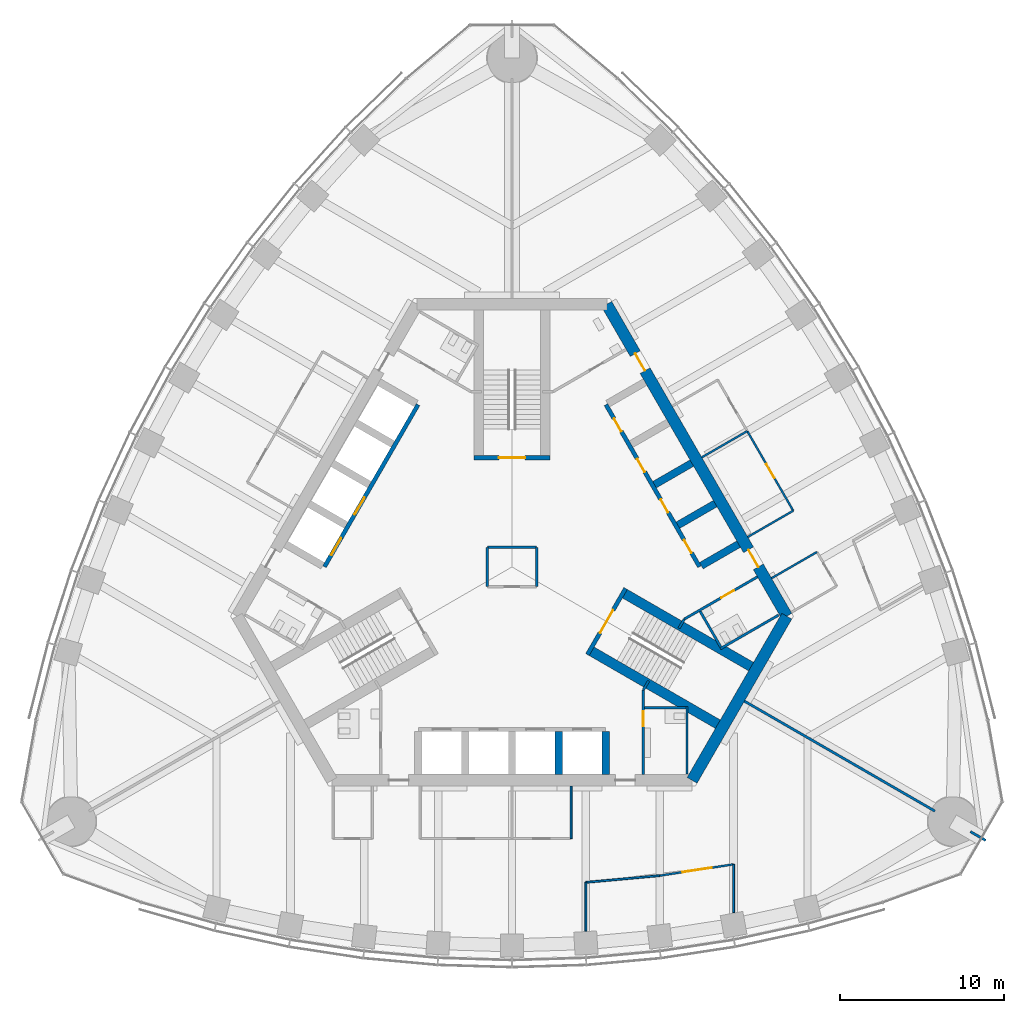
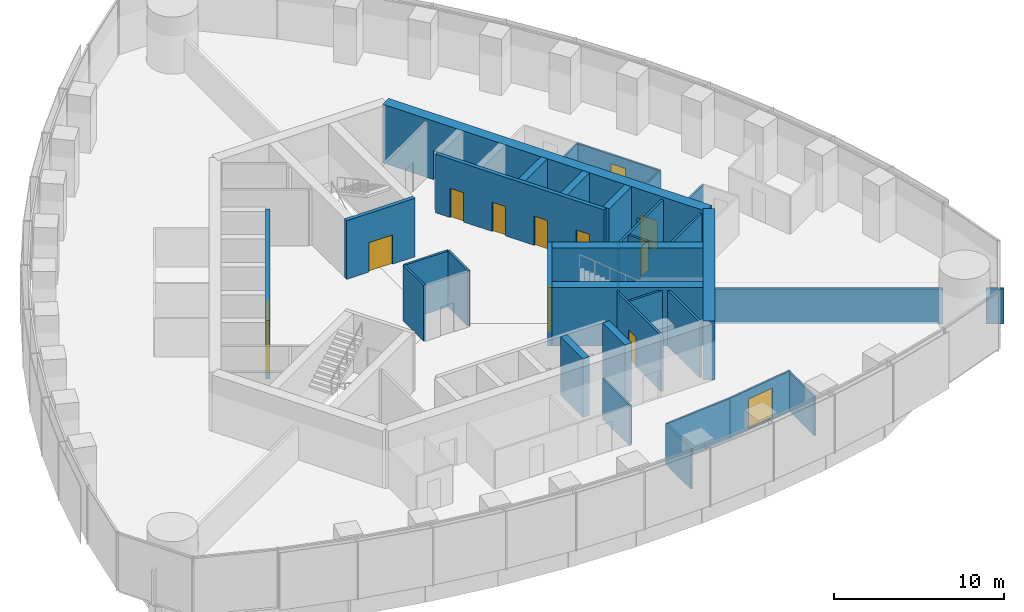
# One storey, part 9 of 14: 35 walls, 14 doors, 14 openings.
"""IFC4 building model written with IfcOpenShell, lengths in metres."""

from ifc_helpers import new_model, si_unit, direction, frame, frame_2d, origin, place, context, subcontext, project, spatial, rectangle, extrude, material, layer, layer_set, type_object, element, fill, save


model = new_model("IFC4")

# Units and contexts
model_context = context("Model", 3, precision=1e-05, world=origin(), true_north=direction((0.0, 1.0)))
body_context = subcontext(model_context, "Body", "Model", "MODEL_VIEW")
ifc_project = project(units=[si_unit("LENGTHUNIT", "METRE"), si_unit("AREAUNIT", "SQUARE_METRE"), si_unit("VOLUMEUNIT", "CUBIC_METRE"), si_unit("PLANEANGLEUNIT", "RADIAN"), si_unit("MASSUNIT", "GRAM", prefix="KILO")], contexts=[model_context])

# Site, building, storey
site_placement = place(None, origin())
site = spatial("IfcSite", under=ifc_project, at=site_placement, CompositionType="ELEMENT")
building_placement = place(site_placement, origin())
building = spatial("IfcBuilding", under=site, at=building_placement, Name="Trefoil Bronze Tower", CompositionType="ELEMENT")
storey_placement = place(building_placement, frame((0.0, 0.0, 280.5)))
storey = spatial("IfcBuildingStorey", under=building, at=storey_placement, Name="L64", CompositionType="ELEMENT", Elevation=280.5)

# Wall
ifc_material_1 = material(Name="Concrete B80", Category="concrete")
ifc_layer_1 = layer(ifc_material_1, 0.699951171875)
ifc_layer_set_1 = layer_set([ifc_layer_1], Name="Core wall 700")
wall_type_1 = type_object("IfcWallType", Name="Core wall 700", PredefinedType="SHEAR", material=ifc_layer_set_1)
wall_1_placement = place(storey_placement, frame((10.9697265625, -13.0, 0.0), z_axis=(0.0, 0.0, 1.0), x_axis=(0.499995765644, 0.866027848477, 0.0)))
element("IfcWall", 1, at=wall_1_placement, inside=storey, type_object=wall_type_1, Name="Core short wall 1 L64", PredefinedType="SHEAR", context=body_context, shape_type="SweptSolid", body=[
    extrude(rectangle(XDim=11.546875, YDim=0.699951171875, at=frame_2d((5.7734375, 0.0))), origin(), (0.0, 0.0, 1.0), 4.199951171875),
])

# Wall, openings, doors
wall_2_placement = place(storey_placement, frame((16.7431640625, -3.0, 0.0), z_axis=(0.0, 0.0, 1.0), x_axis=(-0.500002442456, 0.866023993627, 0.0)))
wall_2 = element("IfcWall", 2, at=wall_2_placement, inside=storey, type_object=wall_type_1, Name="Core long wall 2 L64", PredefinedType="SHEAR", context=body_context, shape_type="SweptSolid", body=[
    extrude(rectangle(XDim=21.939453125, YDim=0.699951171875, at=frame_2d((10.9697265625, 0.0))), origin(), (0.0, 0.0, 1.0), 4.199951171875),
])
opening_1_placement = place(wall_2_placement, frame((17.269775390625, 0.0, 0.0)))
opening_1 = element("IfcOpeningElement", 3, at=opening_1_placement, cuts=wall_2, Name="Opening D2", PredefinedType="OPENING", context=body_context, shape_type="SweptSolid", body=[
    extrude(rectangle(XDim=1.199951171875, YDim=2.10009765625, at=frame_2d((0.60009765625, 1.050048828125))), frame((0.0, 0.35986328125, 0.0), z_axis=(0.0, -1.0, 0.0), x_axis=(1.0, 0.0, 0.0)), (0.0, 0.0, 1.0), 0.719970703125),
])
opening_2_placement = place(wall_2_placement, frame((3.4697265625, 0.0, 0.0)))
opening_2 = element("IfcOpeningElement", 4, at=opening_2_placement, cuts=wall_2, Name="Opening D2", PredefinedType="OPENING", context=body_context, shape_type="SweptSolid", body=[
    extrude(rectangle(XDim=1.199951171875, YDim=2.10009765625, at=frame_2d((0.60009765625, 1.050048828125))), frame((0.0, 0.35986328125, 0.0), z_axis=(0.0, -1.0, 0.0), x_axis=(1.0, 0.0, 0.0)), (0.0, 0.0, 1.0), 0.719970703125),
])
ifc_material_2 = material(Name="Steel door", Category="steel")
door_type_1 = type_object("IfcDoorType", Name="Lobby door 1200", OperationType="SINGLE_SWING_RIGHT", PredefinedType="DOOR", material=ifc_material_2)
door_1_placement = place(opening_1_placement, origin())
door_1 = element("IfcDoor", 5, at=door_1_placement, inside=storey, type_object=door_type_1, Name="Lobby door F2+ L64", OperationType="SINGLE_SWING_RIGHT", OverallHeight=2.10009765625, OverallWidth=1.199951171875, PredefinedType="DOOR", context=body_context, shape_type="SweptSolid", body=[
    extrude(rectangle(XDim=1.199951171875, YDim=2.10009765625, at=frame_2d((0.60009765625, 1.050048828125))), frame((0.0, 0.02490234375, 0.0), z_axis=(0.0, -1.0, 0.0), x_axis=(1.0, 0.0, 0.0)), (0.0, 0.0, 1.0), 0.050048828125),
])
fill(opening_1, door_1)
door_2_placement = place(opening_2_placement, origin())
door_2 = element("IfcDoor", 6, at=door_2_placement, inside=storey, type_object=door_type_1, Name="Lobby door F2- L64", OperationType="SINGLE_SWING_LEFT", OverallHeight=2.10009765625, OverallWidth=1.199951171875, PredefinedType="DOOR", context=body_context, shape_type="SweptSolid", body=[
    extrude(rectangle(XDim=1.199951171875, YDim=2.10009765625, at=frame_2d((0.60009765625, 1.050048828125))), frame((0.0, 0.02490234375, 0.0), z_axis=(0.0, -1.0, 0.0), x_axis=(1.0, 0.0, 0.0)), (0.0, 0.0, 1.0), 0.050048828125),
])
fill(opening_2, door_2)

# Walls
ifc_material_3 = material(Name="Glazed partition", Category="glass")
ifc_layer_2 = layer(ifc_material_3, 0.1201171875)
ifc_layer_set_2 = layer_set([ifc_layer_2], Name="Glazed partition 120")
wall_type_2 = type_object("IfcWallType", Name="Glazed partition 120", PredefinedType="PARTITIONING", material=ifc_layer_set_2)
wall_3_placement = place(storey_placement, frame((3.60009765625, -13.35009765625, 0.0), z_axis=(0.0, 0.0, 1.0), x_axis=(0.0, -1.0, 0.0)))
element("IfcWall", 7, at=wall_3_placement, inside=storey, type_object=wall_type_2, Name="Partition F1 L64", PredefinedType="PARTITIONING", context=body_context, shape_type="SweptSolid", body=[
    extrude(rectangle(XDim=3.199951171875, YDim=0.1201171875, at=frame_2d((1.60009765625, 0.0))), origin(), (0.0, 0.0, 1.0), 2.89990234375),
])
wall_4_placement = place(storey_placement, frame((4.5, -19.21533203125, 0.0), z_axis=(0.0, 0.0, 1.0), x_axis=(0.995871921504, 0.090769576179, 0.0)))
element("IfcWall", 8, at=wall_4_placement, inside=storey, type_object=wall_type_2, Name="Partition F1 L64", PredefinedType="PARTITIONING", context=body_context, shape_type="SweptSolid", body=[
    extrude(rectangle(XDim=4.5185546875, YDim=0.1201171875, at=frame_2d((2.25927734375, 0.0))), origin(), (0.0, 0.0, 1.0), 2.89990234375),
])

# Wall, opening, door
wall_5_placement = place(storey_placement, frame((9.0, -18.80517578125, 0.0), z_axis=(0.0, 0.0, 1.0), x_axis=(0.988481794406, 0.151339823341, 0.0)))
wall_5 = element("IfcWall", 9, at=wall_5_placement, inside=storey, type_object=wall_type_2, Name="Partition F1 L64", PredefinedType="PARTITIONING", context=body_context, shape_type="SweptSolid", body=[
    extrude(rectangle(XDim=4.552490234375, YDim=0.1201171875, at=frame_2d((2.2763671875, 0.0))), origin(), (0.0, 0.0, 1.0), 2.89990234375),
])
opening_3_placement = place(wall_5_placement, frame((1.39990234375, 0.0, 0.14990234375)))
opening_3 = element("IfcOpeningElement", 10, at=opening_3_placement, cuts=wall_5, Name="Opening D10", PredefinedType="OPENING", context=body_context, shape_type="SweptSolid", body=[
    extrude(rectangle(XDim=1.800048828125, YDim=2.10009765625, at=frame_2d((0.89990234375, 1.050048828125))), frame((0.0, 0.070068359375, 0.0), z_axis=(0.0, -1.0, 0.0), x_axis=(1.0, 0.0, 0.0)), (0.0, 0.0, 1.0), 0.14013671875),
])
ifc_material_4 = material(Name="Timber door", Category="wood")
door_type_2 = type_object("IfcDoorType", Name="Double door 1800", OperationType="DOUBLE_DOOR_SINGLE_SWING", PredefinedType="DOOR", material=ifc_material_4)
door_3_placement = place(opening_3_placement, frame((1.800048828125, 0.0, 0.0), z_axis=(0.0, 0.0, 1.0), x_axis=(-1.0, 0.0, 0.0)))
door_3 = element("IfcDoor", 11, at=door_3_placement, inside=storey, type_object=door_type_2, Name="Kitchen and breakout door F1 L64", OperationType="DOUBLE_DOOR_SINGLE_SWING", OverallHeight=2.10009765625, OverallWidth=1.800048828125, PredefinedType="DOOR", context=body_context, shape_type="SweptSolid", body=[
    extrude(rectangle(XDim=1.800048828125, YDim=2.10009765625, at=frame_2d((0.89990234375, 1.050048828125))), frame((0.0, 0.02490234375, 0.0), z_axis=(0.0, -1.0, 0.0), x_axis=(1.0, 0.0, 0.0)), (0.0, 0.0, 1.0), 0.050048828125),
])
fill(opening_3, door_3)

# Walls
wall_6_placement = place(storey_placement, frame((13.5, -18.1162109375, 0.0), z_axis=(0.0, 0.0, 1.0), x_axis=(0.0, -1.0, 0.0)))
element("IfcWall", 12, at=wall_6_placement, inside=storey, type_object=wall_type_2, Name="Partition F1 L64", PredefinedType="PARTITIONING", context=body_context, shape_type="SweptSolid", body=[
    extrude(rectangle(XDim=2.9443359375, YDim=0.1201171875, at=frame_2d((1.47216796875, 0.0))), origin(), (0.0, 0.0, 1.0), 2.800048828125),
])
wall_7_placement = place(storey_placement, frame((4.5, -19.21533203125, 0.0), z_axis=(0.0, 0.0, 1.0), x_axis=(0.0, -1.0, 0.0)))
element("IfcWall", 13, at=wall_7_placement, inside=storey, type_object=wall_type_2, Name="Partition F1 L64", PredefinedType="PARTITIONING", context=body_context, shape_type="SweptSolid", body=[
    extrude(rectangle(XDim=2.96728515625, YDim=0.1201171875, at=frame_2d((1.483642578125, 0.0))), origin(), (0.0, 0.0, 1.0), 2.89990234375),
])

# Wall, opening, door
wall_8_placement = place(storey_placement, frame((17.1328125, 3.42529296875, 0.0), z_axis=(0.0, 0.0, 1.0), x_axis=(-0.500016814911, 0.866015695474, 0.0)))
wall_8 = element("IfcWall", 14, at=wall_8_placement, inside=storey, type_object=wall_type_2, Name="Partition F2 L64", PredefinedType="PARTITIONING", context=body_context, shape_type="SweptSolid", body=[
    extrude(rectangle(XDim=5.599853515625, YDim=0.1201171875, at=frame_2d((2.7998046875, 0.0))), origin(), (0.0, 0.0, 1.0), 2.89990234375),
])
opening_4_placement = place(wall_8_placement, frame((2.300048828125, 0.0, 0.14990234375)))
opening_4 = element("IfcOpeningElement", 15, at=opening_4_placement, cuts=wall_8, Name="Opening D9", PredefinedType="OPENING", context=body_context, shape_type="SweptSolid", body=[
    extrude(rectangle(XDim=1.0, YDim=2.10009765625, at=frame_2d((0.5, 1.050048828125))), frame((0.0, 0.070068359375, 0.0), z_axis=(0.0, -1.0, 0.0), x_axis=(1.0, 0.0, 0.0)), (0.0, 0.0, 1.0), 0.14013671875),
])
ifc_material_5 = material(Name="Glazed timber door", Category="wood")
door_type_3 = type_object("IfcDoorType", Name="Meeting room door 1000", OperationType="SINGLE_SWING_LEFT", PredefinedType="DOOR", material=ifc_material_5)
door_4_placement = place(opening_4_placement, origin())
door_4 = element("IfcDoor", 16, at=door_4_placement, inside=storey, type_object=door_type_3, Name="Meeting room door F2 L64", OperationType="SINGLE_SWING_RIGHT", OverallHeight=2.10009765625, OverallWidth=1.0, PredefinedType="DOOR", context=body_context, shape_type="SweptSolid", body=[
    extrude(rectangle(XDim=1.0, YDim=2.10009765625, at=frame_2d((0.5, 1.050048828125))), frame((0.0, 0.02490234375, 0.0), z_axis=(0.0, -1.0, 0.0), x_axis=(1.0, 0.0, 0.0)), (0.0, 0.0, 1.0), 0.050048828125),
])
fill(opening_4, door_4)

# Walls
wall_9_placement = place(storey_placement, frame((11.5615234375, 6.675048828125, 0.0), z_axis=(0.0, 0.0, 1.0), x_axis=(0.866042017984, 0.499971222258, 0.0)))
element("IfcWall", 17, at=wall_9_placement, inside=storey, type_object=wall_type_2, Name="Partition F2 L64", PredefinedType="PARTITIONING", context=body_context, shape_type="SweptSolid", body=[
    extrude(rectangle(XDim=3.199951171875, YDim=0.1201171875, at=frame_2d((1.60009765625, 0.0))), origin(), (0.0, 0.0, 1.0), 2.89990234375),
])
wall_10_placement = place(storey_placement, frame((14.361328125, 1.8251953125, 0.0), z_axis=(0.0, 0.0, 1.0), x_axis=(0.866028054938, 0.499995408039, 0.0)))
element("IfcWall", 18, at=wall_10_placement, inside=storey, type_object=wall_type_2, Name="Partition F2 L64", PredefinedType="PARTITIONING", context=body_context, shape_type="SweptSolid", body=[
    extrude(rectangle(XDim=3.2001953125, YDim=0.1201171875, at=frame_2d((1.60009765625, 0.0))), origin(), (0.0, 0.0, 1.0), 2.89990234375),
])
wall_11_placement = place(storey_placement, frame((15.8115234375, -0.686279296875, 0.0), z_axis=(0.0, 0.0, 1.0), x_axis=(0.866008981251, 0.500028443584, 0.0)))
element("IfcWall", 19, at=wall_11_placement, inside=storey, type_object=wall_type_2, Name="Partition F2 L64", PredefinedType="PARTITIONING", context=body_context, shape_type="SweptSolid", body=[
    extrude(rectangle(XDim=3.199951171875, YDim=0.1201171875, at=frame_2d((1.60009765625, 0.0))), origin(), (0.0, 0.0, 1.0), 2.89990234375),
])
ifc_material_6 = material(Name="Concrete B80", Category="concrete")
ifc_layer_3 = layer(ifc_material_6, 0.449951171875)
ifc_layer_set_3 = layer_set([ifc_layer_3], Name="Outrigger shaft wall 450")
wall_type_3 = type_object("IfcWallType", Name="Outrigger shaft wall 450", PredefinedType="SHEAR", material=ifc_layer_set_3)
for number, where, z_axis, x_axis, name in (
    (20, (2.85009765625, -10.02490234375, 0.0), (0.0, 0.0, 1.0), (0.0, -1.0, 0.0), "Lift shaft side wall A3 L64"),
    (21, (5.699951171875, -10.02490234375, 0.0), (0.0, 0.0, 1.0), (0.0, -1.0, 0.0), "Lift shaft side wall A4 L64"),
    (22, (11.531982421875, 0.076171875, 0.0), (0.0, 0.0, 1.0), (0.866013657776, 0.500020344131, 0.0), "Lift shaft side wall B0 L64"),
    (23, (10.10693359375, 2.54443359375, 0.0), (0.0, 0.0, 1.0), (0.866013657776, 0.500020344131, 0.0), "Lift shaft side wall B1 L64"),
    (24, (8.681884765625, 5.012451171875, 0.0), (0.0, 0.0, 1.0), (0.866036909293, 0.499980071345, 0.0), "Lift shaft side wall B2 L64"),
):
    element("IfcWall", number, at=place(storey_placement, frame(where, z_axis=z_axis, x_axis=x_axis)), inside=storey, type_object=wall_type_3, Name=name, PredefinedType="SHEAR", context=body_context, shape_type="SweptSolid", body=[
        extrude(rectangle(XDim=2.625, YDim=0.449951171875, at=frame_2d((1.3125, 0.0))), origin(), (0.0, 0.0, 1.0), 4.199951171875),
    ])

# Wall, opening, door
ifc_material_7 = material(Name="Gypsum board on steel studs", Category="steel")
ifc_layer_4 = layer(ifc_material_7, 0.14990234375)
ifc_layer_set_4 = layer_set([ifc_layer_4], Name="Partition 150")
wall_type_4 = type_object("IfcWallType", Name="Partition 150", PredefinedType="PARTITIONING", material=ifc_layer_set_4)
wall_12_placement = place(storey_placement, frame((8.0, -7.5, 0.0), z_axis=(0.0, 0.0, 1.0), x_axis=(0.0, -1.0, 0.0)))
wall_12 = element("IfcWall", 25, at=wall_12_placement, inside=storey, type_object=wall_type_4, Name="Passage wall F1+ L64", PredefinedType="PARTITIONING", context=body_context, shape_type="SweptSolid", body=[
    extrude(rectangle(XDim=5.14990234375, YDim=0.14990234375, at=frame_2d((2.574951171875, 0.0))), origin(), (0.0, 0.0, 1.0), 4.0),
])
opening_5_placement = place(wall_12_placement, frame((1.300048828125, 0.0, 0.0)))
opening_5 = element("IfcOpeningElement", 26, at=opening_5_placement, cuts=wall_12, Name="Opening D3", PredefinedType="OPENING", context=body_context, shape_type="SweptSolid", body=[
    extrude(rectangle(XDim=0.89990234375, YDim=2.10009765625, at=frame_2d((0.449951171875, 1.050048828125))), frame((0.0, 0.0849609375, 0.0), z_axis=(0.0, -1.0, 0.0), x_axis=(1.0, 0.0, 0.0)), (0.0, 0.0, 1.0), 0.169921875),
])
ifc_material_8 = material(Name="Timber door", Category="wood")
door_type_4 = type_object("IfcDoorType", Name="WC door 900", OperationType="SINGLE_SWING_LEFT", PredefinedType="DOOR", material=ifc_material_8)
door_5_placement = place(opening_5_placement, origin())
door_5 = element("IfcDoor", 27, at=door_5_placement, inside=storey, type_object=door_type_4, Name="WC (men) door L64", OperationType="SINGLE_SWING_LEFT", OverallHeight=2.10009765625, OverallWidth=0.89990234375, PredefinedType="DOOR", context=body_context, shape_type="SweptSolid", body=[
    extrude(rectangle(XDim=0.89990234375, YDim=2.10009765625, at=frame_2d((0.449951171875, 1.050048828125))), frame((0.0, 0.02490234375, 0.0), z_axis=(0.0, -1.0, 0.0), x_axis=(1.0, 0.0, 0.0)), (0.0, 0.0, 1.0), 0.050048828125),
])
fill(opening_5, door_5)

wall_13_placement = place(storey_placement, frame((10.4951171875, -3.17822265625, 0.0), z_axis=(0.0, 0.0, 1.0), x_axis=(0.866037967349, 0.499978238636, 0.0)))
wall_13 = element("IfcWall", 28, at=wall_13_placement, inside=storey, type_object=wall_type_4, Name="Passage wall F2- L64", PredefinedType="PARTITIONING", context=body_context, shape_type="SweptSolid", body=[
    extrude(rectangle(XDim=5.150146484375, YDim=0.14990234375, at=frame_2d((2.5751953125, 0.0))), origin(), (0.0, 0.0, 1.0), 4.0),
])
opening_6_placement = place(wall_13_placement, frame((2.60009765625, 0.0, 0.0)))
opening_6 = element("IfcOpeningElement", 29, at=opening_6_placement, cuts=wall_13, Name="Opening D3", PredefinedType="OPENING", context=body_context, shape_type="SweptSolid", body=[
    extrude(rectangle(XDim=0.89990234375, YDim=2.10009765625, at=frame_2d((0.449951171875, 1.050048828125))), frame((0.0, 0.0849609375, 0.0), z_axis=(0.0, -1.0, 0.0), x_axis=(1.0, 0.0, 0.0)), (0.0, 0.0, 1.0), 0.169921875),
])
door_6_placement = place(opening_6_placement, frame((0.89990234375, 0.0, 0.0), z_axis=(0.0, 0.0, 1.0), x_axis=(-1.0, 0.0, 0.0)))
door_6 = element("IfcDoor", 30, at=door_6_placement, inside=storey, type_object=door_type_4, Name="WC (women) door L64", OperationType="SINGLE_SWING_RIGHT", OverallHeight=2.10009765625, OverallWidth=0.89990234375, PredefinedType="DOOR", context=body_context, shape_type="SweptSolid", body=[
    extrude(rectangle(XDim=0.89990234375, YDim=2.10009765625, at=frame_2d((0.449951171875, 1.050048828125))), frame((0.0, 0.02490234375, 0.0), z_axis=(0.0, -1.0, 0.0), x_axis=(1.0, 0.0, 0.0)), (0.0, 0.0, 1.0), 0.050048828125),
])
fill(opening_6, door_6)

# Walls
for number, where, z_axis, x_axis, name in (
    (31, (8.0, -7.5, 0.0), (0.0, 0.0, 1.0), (0.499842556608, 0.866116284689, 0.0), "WC wall ST1-1 L64"),
    (32, (10.4951171875, -3.17822265625, 0.0), (0.0, 0.0, 1.0), (-0.499842556608, -0.866116284689, 0.0), "WC wall ST1+1 L64"),
):
    element("IfcWall", number, at=place(storey_placement, frame(where, z_axis=z_axis, x_axis=x_axis)), inside=storey, type_object=wall_type_4, Name=name, PredefinedType="PARTITIONING", context=body_context, shape_type="SweptSolid", body=[
        extrude(rectangle(XDim=0.645263671875, YDim=0.14990234375, at=frame_2d((0.32275390625, 0.0))), origin(), (0.0, 0.0, 1.0), 4.0),
    ])
wall_14_placement = place(storey_placement, frame((10.659912109375, -8.5, 0.0), z_axis=(0.0, 0.0, 1.0), x_axis=(0.0, -1.0, 0.0)))
element("IfcWall", 33, at=wall_14_placement, inside=storey, type_object=wall_type_4, Name="WC partition WC (men) L64", PredefinedType="PARTITIONING", context=body_context, shape_type="SweptSolid", body=[
    extrude(rectangle(XDim=4.10009765625, YDim=0.14990234375, at=frame_2d((2.050048828125, 0.0))), origin(), (0.0, 0.0, 1.0), 4.0),
])
wall_15_placement = place(storey_placement, frame((8.074951171875, -8.574951171875, 0.0), z_axis=(0.0, 0.0, 1.0), x_axis=(1.0, 0.0, 0.0)))
element("IfcWall", 34, at=wall_15_placement, inside=storey, type_object=wall_type_4, Name="WC partition WC (men) L64", PredefinedType="PARTITIONING", context=body_context, shape_type="SweptSolid", body=[
    extrude(rectangle(XDim=2.510009765625, YDim=0.14990234375, at=frame_2d((1.2548828125, 0.0))), origin(), (0.0, 0.0, 1.0), 4.0),
])
wall_16_placement = place(storey_placement, frame((12.691162109375, -4.98193359375, 0.0), z_axis=(0.0, 0.0, 1.0), x_axis=(0.8660249478, 0.500000789788, 0.0)))
element("IfcWall", 35, at=wall_16_placement, inside=storey, type_object=wall_type_4, Name="WC partition WC (women) L64", PredefinedType="PARTITIONING", context=body_context, shape_type="SweptSolid", body=[
    extrude(rectangle(XDim=4.10009765625, YDim=0.14990234375, at=frame_2d((2.050048828125, 0.0))), origin(), (0.0, 0.0, 1.0), 4.0),
])
wall_17_placement = place(storey_placement, frame((11.463623046875, -2.70556640625, 0.0), z_axis=(0.0, 0.0, 1.0), x_axis=(0.50001992892, -0.866013897511, 0.0)))
element("IfcWall", 36, at=wall_17_placement, inside=storey, type_object=wall_type_4, Name="WC partition WC (women) L64", PredefinedType="PARTITIONING", context=body_context, shape_type="SweptSolid", body=[
    extrude(rectangle(XDim=2.51025390625, YDim=0.14990234375, at=frame_2d((1.255126953125, 0.0))), origin(), (0.0, 0.0, 1.0), 4.0),
])
ifc_material_9 = material(Name="Gypsum board on steel studs", Category="steel")
ifc_layer_5 = layer(ifc_material_9, 0.14990234375)
ifc_layer_set_5 = layer_set([ifc_layer_5], Name="Party wall 150")
wall_type_5 = type_object("IfcWallType", Name="Party wall 150", PredefinedType="PARTITIONING", material=ifc_layer_set_5)
wall_18_placement = place(storey_placement, frame((14.159423828125, -8.175048828125, 0.0), z_axis=(0.0, 0.0, 1.0), x_axis=(0.866026905467, -0.499997399001, 0.0)))
element("IfcWall", 37, at=wall_18_placement, inside=storey, type_object=wall_type_5, Name="Party wall K1 L64", PredefinedType="PARTITIONING", context=body_context, shape_type="SweptSolid", body=[
    extrude(rectangle(XDim=13.39990234375, YDim=0.14990234375, at=frame_2d((6.699951171875, 0.0))), origin(), (0.0, 0.0, 1.0), 2.5),
])
wall_19_placement = place(storey_placement, frame((27.92919921875, -16.125, 0.0), z_axis=(0.0, 0.0, 1.0), x_axis=(0.866086810508, -0.499893625349, 0.0)))
element("IfcWall", 38, at=wall_19_placement, inside=storey, type_object=wall_type_5, Name="Party wall K1 L64", PredefinedType="PARTITIONING", context=body_context, shape_type="SweptSolid", body=[
    extrude(rectangle(XDim=1.070068359375, YDim=0.14990234375, at=frame_2d((0.53515625, 0.0))), origin(), (0.0, 0.0, 1.0), 2.5),
])
ifc_material_10 = material(Name="Gypsum board on steel studs", Category="steel")
ifc_layer_6 = layer(ifc_material_10, 0.14990234375)
ifc_layer_set_6 = layer_set([ifc_layer_6], Name="Riser wall 150")
wall_type_6 = type_object("IfcWallType", Name="Riser wall 150", PredefinedType="PARTITIONING", material=ifc_layer_set_6)
wall_20_placement = place(storey_placement, frame((1.5, -1.199951171875, 0.0), z_axis=(0.0, 0.0, 1.0), x_axis=(0.0, 1.0, 0.0)))
element("IfcWall", 39, at=wall_20_placement, inside=storey, type_object=wall_type_6, Name="Riser wall L64", PredefinedType="PARTITIONING", context=body_context, shape_type="SweptSolid", body=[
    extrude(rectangle(XDim=2.39990234375, YDim=0.14990234375, at=frame_2d((1.199951171875, 0.0))), origin(), (0.0, 0.0, 1.0), 4.0),
])
wall_21_placement = place(storey_placement, frame((1.5, 1.199951171875, 0.0), z_axis=(0.0, 0.0, 1.0), x_axis=(-1.0, 0.0, 0.0)))
element("IfcWall", 40, at=wall_21_placement, inside=storey, type_object=wall_type_6, Name="Riser wall L64", PredefinedType="PARTITIONING", context=body_context, shape_type="SweptSolid", body=[
    extrude(rectangle(XDim=3.0, YDim=0.14990234375, at=frame_2d((1.5, 0.0))), origin(), (0.0, 0.0, 1.0), 4.0),
])
wall_22_placement = place(storey_placement, frame((-1.5, 1.199951171875, 0.0), z_axis=(0.0, 0.0, 1.0), x_axis=(0.0, -1.0, 0.0)))
element("IfcWall", 41, at=wall_22_placement, inside=storey, type_object=wall_type_6, Name="Riser wall L64", PredefinedType="PARTITIONING", context=body_context, shape_type="SweptSolid", body=[
    extrude(rectangle(XDim=2.39990234375, YDim=0.14990234375, at=frame_2d((1.199951171875, 0.0))), origin(), (0.0, 0.0, 1.0), 4.0),
])

# Wall, openings, doors
ifc_material_11 = material(Name="Concrete B80", Category="concrete")
ifc_layer_7 = layer(ifc_material_11, 0.25)
ifc_layer_set_7 = layer_set([ifc_layer_7], Name="Shaft wall 250")
wall_type_7 = type_object("IfcWallType", Name="Shaft wall 250", PredefinedType="SHEAR", material=ifc_layer_set_7)
wall_23_placement = place(storey_placement, frame((11.423583984375, 0.013671875, 0.0), z_axis=(0.0, 0.0, 1.0), x_axis=(-0.500001763848, 0.866024385424, 0.0)))
wall_23 = element("IfcWall", 42, at=wall_23_placement, inside=storey, type_object=wall_type_7, Name="Lift shaft front wall B L64", PredefinedType="SHEAR", context=body_context, shape_type="SweptSolid", body=[
    extrude(rectangle(XDim=11.39990234375, YDim=0.25, at=frame_2d((5.699951171875, 0.0))), origin(), (0.0, 0.0, 1.0), 4.199951171875),
])
opening_7_placement = place(wall_23_placement, frame((0.97509765625, 0.0, 0.0)))
opening_7 = element("IfcOpeningElement", 43, at=opening_7_placement, cuts=wall_23, Name="Opening D12", PredefinedType="OPENING", context=body_context, shape_type="SweptSolid", body=[
    extrude(rectangle(XDim=0.89990234375, YDim=2.10009765625, at=frame_2d((0.449951171875, 1.050048828125))), frame((0.0, 0.135009765625, 0.0), z_axis=(0.0, -1.0, 0.0), x_axis=(1.0, 0.0, 0.0)), (0.0, 0.0, 1.0), 0.27001953125),
])
opening_8_placement = place(wall_23_placement, frame((3.824951171875, 0.0, 0.0)))
opening_8 = element("IfcOpeningElement", 44, at=opening_8_placement, cuts=wall_23, Name="Opening D12", PredefinedType="OPENING", context=body_context, shape_type="SweptSolid", body=[
    extrude(rectangle(XDim=0.89990234375, YDim=2.10009765625, at=frame_2d((0.449951171875, 1.050048828125))), frame((0.0, 0.135009765625, 0.0), z_axis=(0.0, -1.0, 0.0), x_axis=(1.0, 0.0, 0.0)), (0.0, 0.0, 1.0), 0.27001953125),
])
opening_9_placement = place(wall_23_placement, frame((6.675048828125, 0.0, 0.0)))
opening_9 = element("IfcOpeningElement", 45, at=opening_9_placement, cuts=wall_23, Name="Opening D12", PredefinedType="OPENING", context=body_context, shape_type="SweptSolid", body=[
    extrude(rectangle(XDim=0.89990234375, YDim=2.10009765625, at=frame_2d((0.449951171875, 1.050048828125))), frame((0.0, 0.135009765625, 0.0), z_axis=(0.0, -1.0, 0.0), x_axis=(1.0, 0.0, 0.0)), (0.0, 0.0, 1.0), 0.27001953125),
])
opening_10_placement = place(wall_23_placement, frame((9.52490234375, 0.0, 0.0)))
opening_10 = element("IfcOpeningElement", 46, at=opening_10_placement, cuts=wall_23, Name="Opening D12", PredefinedType="OPENING", context=body_context, shape_type="SweptSolid", body=[
    extrude(rectangle(XDim=0.89990234375, YDim=2.10009765625, at=frame_2d((0.449951171875, 1.050048828125))), frame((0.0, 0.135009765625, 0.0), z_axis=(0.0, -1.0, 0.0), x_axis=(1.0, 0.0, 0.0)), (0.0, 0.0, 1.0), 0.27001953125),
])
ifc_material_12 = material(Name="Steel door", Category="steel")
door_type_5 = type_object("IfcDoorType", Name="Shaft room door 900", OperationType="SINGLE_SWING_LEFT", PredefinedType="DOOR", material=ifc_material_12)
door_7_placement = place(opening_7_placement, frame((0.89990234375, 0.0, 0.0), z_axis=(0.0, 0.0, 1.0), x_axis=(-1.0, 0.0, 0.0)))
door_7 = element("IfcDoor", 47, at=door_7_placement, inside=storey, type_object=door_type_5, Name="Shaft room door B1 L64", OperationType="SINGLE_SWING_LEFT", OverallHeight=2.10009765625, OverallWidth=0.89990234375, PredefinedType="DOOR", context=body_context, shape_type="SweptSolid", body=[
    extrude(rectangle(XDim=0.89990234375, YDim=2.10009765625, at=frame_2d((0.449951171875, 1.050048828125))), frame((0.0, 0.02490234375, 0.0), z_axis=(0.0, -1.0, 0.0), x_axis=(1.0, 0.0, 0.0)), (0.0, 0.0, 1.0), 0.050048828125),
])
fill(opening_7, door_7)
door_8_placement = place(opening_8_placement, frame((0.89990234375, 0.0, 0.0), z_axis=(0.0, 0.0, 1.0), x_axis=(-1.0, 0.0, 0.0)))
door_8 = element("IfcDoor", 48, at=door_8_placement, inside=storey, type_object=door_type_5, Name="Shaft room door B2 L64", OperationType="SINGLE_SWING_RIGHT", OverallHeight=2.10009765625, OverallWidth=0.89990234375, PredefinedType="DOOR", context=body_context, shape_type="SweptSolid", body=[
    extrude(rectangle(XDim=0.89990234375, YDim=2.10009765625, at=frame_2d((0.449951171875, 1.050048828125))), frame((0.0, 0.02490234375, 0.0), z_axis=(0.0, -1.0, 0.0), x_axis=(1.0, 0.0, 0.0)), (0.0, 0.0, 1.0), 0.050048828125),
])
fill(opening_8, door_8)
door_9_placement = place(opening_9_placement, frame((0.89990234375, 0.0, 0.0), z_axis=(0.0, 0.0, 1.0), x_axis=(-1.0, 0.0, 0.0)))
door_9 = element("IfcDoor", 49, at=door_9_placement, inside=storey, type_object=door_type_5, Name="Shaft room door B3 L64", OperationType="SINGLE_SWING_RIGHT", OverallHeight=2.10009765625, OverallWidth=0.89990234375, PredefinedType="DOOR", context=body_context, shape_type="SweptSolid", body=[
    extrude(rectangle(XDim=0.89990234375, YDim=2.10009765625, at=frame_2d((0.449951171875, 1.050048828125))), frame((0.0, 0.02490234375, 0.0), z_axis=(0.0, -1.0, 0.0), x_axis=(1.0, 0.0, 0.0)), (0.0, 0.0, 1.0), 0.050048828125),
])
fill(opening_9, door_9)
door_10_placement = place(opening_10_placement, frame((0.89990234375, 0.0, 0.0), z_axis=(0.0, 0.0, 1.0), x_axis=(-1.0, 0.0, 0.0)))
door_10 = element("IfcDoor", 50, at=door_10_placement, inside=storey, type_object=door_type_5, Name="Shaft room door B4 L64", OperationType="SINGLE_SWING_RIGHT", OverallHeight=2.10009765625, OverallWidth=0.89990234375, PredefinedType="DOOR", context=body_context, shape_type="SweptSolid", body=[
    extrude(rectangle(XDim=0.89990234375, YDim=2.10009765625, at=frame_2d((0.449951171875, 1.050048828125))), frame((0.0, 0.02490234375, 0.0), z_axis=(0.0, -1.0, 0.0), x_axis=(1.0, 0.0, 0.0)), (0.0, 0.0, 1.0), 0.050048828125),
])
fill(opening_10, door_10)

wall_24_placement = place(storey_placement, frame((-5.7236328125, 9.88623046875, 0.0), z_axis=(0.0, 0.0, 1.0), x_axis=(-0.500001763848, -0.866024385424, 0.0)))
wall_24 = element("IfcWall", 51, at=wall_24_placement, inside=storey, type_object=wall_type_7, Name="Lift shaft front wall C L64", PredefinedType="SHEAR", context=body_context, shape_type="SweptSolid", body=[
    extrude(rectangle(XDim=11.39990234375, YDim=0.25, at=frame_2d((5.699951171875, 0.0))), origin(), (0.0, 0.0, 1.0), 4.199951171875),
])
opening_11_placement = place(wall_24_placement, frame((6.52490234375, 0.0, 0.0)))
opening_11 = element("IfcOpeningElement", 52, at=opening_11_placement, cuts=wall_24, Name="Opening LD-FL1", PredefinedType="OPENING", context=body_context, shape_type="SweptSolid", body=[
    extrude(rectangle(XDim=1.199951171875, YDim=2.199951171875, at=frame_2d((0.60009765625, 1.10009765625))), frame((0.0, 0.135009765625, 0.0), z_axis=(0.0, -1.0, 0.0), x_axis=(1.0, 0.0, 0.0)), (0.0, 0.0, 1.0), 0.27001953125),
])
opening_12_placement = place(wall_24_placement, frame((9.375, 0.0, 0.0)))
opening_12 = element("IfcOpeningElement", 53, at=opening_12_placement, cuts=wall_24, Name="Opening LD-FL2", PredefinedType="OPENING", context=body_context, shape_type="SweptSolid", body=[
    extrude(rectangle(XDim=1.199951171875, YDim=2.199951171875, at=frame_2d((0.60009765625, 1.10009765625))), frame((0.0, 0.135009765625, 0.0), z_axis=(0.0, -1.0, 0.0), x_axis=(1.0, 0.0, 0.0)), (0.0, 0.0, 1.0), 0.27001953125),
])
ifc_material_13 = material(Name="Steel door", Category="steel")
door_type_6 = type_object("IfcDoorType", Name="Lift landing door 1200", OperationType="DOUBLE_DOOR_SLIDING", PredefinedType="DOOR", material=ifc_material_13)
door_11_placement = place(opening_11_placement, origin())
door_11 = element("IfcDoor", 54, at=door_11_placement, inside=storey, type_object=door_type_6, Name="Lift FL1 landing door L64", OperationType="DOUBLE_DOOR_SLIDING", OverallHeight=2.199951171875, OverallWidth=1.199951171875, PredefinedType="DOOR", context=body_context, shape_type="SweptSolid", body=[
    extrude(rectangle(XDim=1.199951171875, YDim=2.199951171875, at=frame_2d((0.60009765625, 1.10009765625))), frame((0.0, 0.02490234375, 0.0), z_axis=(0.0, -1.0, 0.0), x_axis=(1.0, 0.0, 0.0)), (0.0, 0.0, 1.0), 0.050048828125),
])
fill(opening_11, door_11)
door_12_placement = place(opening_12_placement, origin())
door_12 = element("IfcDoor", 55, at=door_12_placement, inside=storey, type_object=door_type_6, Name="Lift FL2 landing door L64", OperationType="DOUBLE_DOOR_SLIDING", OverallHeight=2.199951171875, OverallWidth=1.199951171875, PredefinedType="DOOR", context=body_context, shape_type="SweptSolid", body=[
    extrude(rectangle(XDim=1.199951171875, YDim=2.199951171875, at=frame_2d((0.60009765625, 1.10009765625))), frame((0.0, 0.02490234375, 0.0), z_axis=(0.0, -1.0, 0.0), x_axis=(1.0, 0.0, 0.0)), (0.0, 0.0, 1.0), 0.050048828125),
])
fill(opening_12, door_12)

# Wall, opening, door
wall_25_placement = place(storey_placement, frame((4.5966796875, -5.338623046875, 0.0), z_axis=(0.0, 0.0, 1.0), x_axis=(0.499984536904, 0.866034331223, 0.0)))
wall_25 = element("IfcWall", 56, at=wall_25_placement, inside=storey, type_object=wall_type_7, Name="Stair end wall ST1 L64", PredefinedType="SHEAR", context=body_context, shape_type="SweptSolid", body=[
    extrude(rectangle(XDim=4.650146484375, YDim=0.25, at=frame_2d((2.3251953125, 0.0))), origin(), (0.0, 0.0, 1.0), 4.199951171875),
])
opening_13_placement = place(wall_25_placement, frame((1.52490234375, 0.0, 0.0)))
opening_13 = element("IfcOpeningElement", 57, at=opening_13_placement, cuts=wall_25, Name="Opening D1", PredefinedType="OPENING", context=body_context, shape_type="SweptSolid", body=[
    extrude(rectangle(XDim=1.60009765625, YDim=2.10009765625, at=frame_2d((0.800048828125, 1.050048828125))), frame((0.0, 0.135009765625, 0.0), z_axis=(0.0, -1.0, 0.0), x_axis=(1.0, 0.0, 0.0)), (0.0, 0.0, 1.0), 0.27001953125),
])
ifc_material_14 = material(Name="Steel door", Category="steel")
door_type_7 = type_object("IfcDoorType", Name="Stair door 1600", OperationType="DOUBLE_DOOR_SINGLE_SWING", PredefinedType="DOOR", material=ifc_material_14)
door_13_placement = place(opening_13_placement, frame((1.60009765625, 0.0, 0.0), z_axis=(0.0, 0.0, 1.0), x_axis=(-1.0, 0.0, 0.0)))
door_13 = element("IfcDoor", 58, at=door_13_placement, inside=storey, type_object=door_type_7, Name="Stair door ST1 L64", OperationType="DOUBLE_DOOR_SINGLE_SWING", OverallHeight=2.10009765625, OverallWidth=1.60009765625, PredefinedType="DOOR", context=body_context, shape_type="SweptSolid", body=[
    extrude(rectangle(XDim=1.60009765625, YDim=2.10009765625, at=frame_2d((0.800048828125, 1.050048828125))), frame((0.0, 0.02490234375, 0.0), z_axis=(0.0, -1.0, 0.0), x_axis=(1.0, 0.0, 0.0)), (0.0, 0.0, 1.0), 0.050048828125),
])
fill(opening_13, door_13)

wall_26_placement = place(storey_placement, frame((2.324951171875, 6.64990234375, 0.0), z_axis=(0.0, 0.0, 1.0), x_axis=(-1.0, 0.0, 0.0)))
wall_26 = element("IfcWall", 59, at=wall_26_placement, inside=storey, type_object=wall_type_7, Name="Stair end wall ST2 L64", PredefinedType="SHEAR", context=body_context, shape_type="SweptSolid", body=[
    extrude(rectangle(XDim=4.64990234375, YDim=0.25, at=frame_2d((2.324951171875, 0.0))), origin(), (0.0, 0.0, 1.0), 4.199951171875),
])
opening_14_placement = place(wall_26_placement, frame((1.52490234375, 0.0, 0.0)))
opening_14 = element("IfcOpeningElement", 60, at=opening_14_placement, cuts=wall_26, Name="Opening D1", PredefinedType="OPENING", context=body_context, shape_type="SweptSolid", body=[
    extrude(rectangle(XDim=1.60009765625, YDim=2.10009765625, at=frame_2d((0.800048828125, 1.050048828125))), frame((0.0, 0.135009765625, 0.0), z_axis=(0.0, -1.0, 0.0), x_axis=(1.0, 0.0, 0.0)), (0.0, 0.0, 1.0), 0.27001953125),
])
door_14_placement = place(opening_14_placement, frame((1.60009765625, 0.0, 0.0), z_axis=(0.0, 0.0, 1.0), x_axis=(-1.0, 0.0, 0.0)))
door_14 = element("IfcDoor", 61, at=door_14_placement, inside=storey, type_object=door_type_7, Name="Stair door ST2 L64", OperationType="DOUBLE_DOOR_SINGLE_SWING", OverallHeight=2.10009765625, OverallWidth=1.60009765625, PredefinedType="DOOR", context=body_context, shape_type="SweptSolid", body=[
    extrude(rectangle(XDim=1.60009765625, YDim=2.10009765625, at=frame_2d((0.800048828125, 1.050048828125))), frame((0.0, 0.02490234375, 0.0), z_axis=(0.0, -1.0, 0.0), x_axis=(1.0, 0.0, 0.0)), (0.0, 0.0, 1.0), 0.050048828125),
])
fill(opening_14, door_14)

# Walls
ifc_material_15 = material(Name="Concrete B80", Category="concrete")
ifc_layer_8 = layer(ifc_material_15, 0.60009765625)
ifc_layer_set_8 = layer_set([ifc_layer_8], Name="Stair wall 600")
wall_type_8 = type_object("IfcWallType", Name="Stair wall 600", PredefinedType="SHEAR", material=ifc_layer_set_8)
for number, where, z_axis, x_axis, name in (
    (62, (4.638427734375, -5.01611328125, 0.0), (0.0, 0.0, 1.0), (0.866021621257, -0.500006551472, 0.0), "Stair wall ST1 L64"),
    (63, (6.663330078125, -1.5087890625, 0.0), (0.0, 0.0, 1.0), (0.866028310072, -0.499994966129, 0.0), "Stair wall ST1 L64"),
):
    element("IfcWall", number, at=place(storey_placement, frame(where, z_axis=z_axis, x_axis=x_axis)), inside=storey, type_object=wall_type_8, Name=name, PredefinedType="SHEAR", context=body_context, shape_type="SweptSolid", body=[
        extrude(rectangle(XDim=9.125, YDim=0.60009765625, at=frame_2d((4.5625, 0.0))), origin(), (0.0, 0.0, 1.0), 4.199951171875),
    ])

save(model, "model.ifc")
